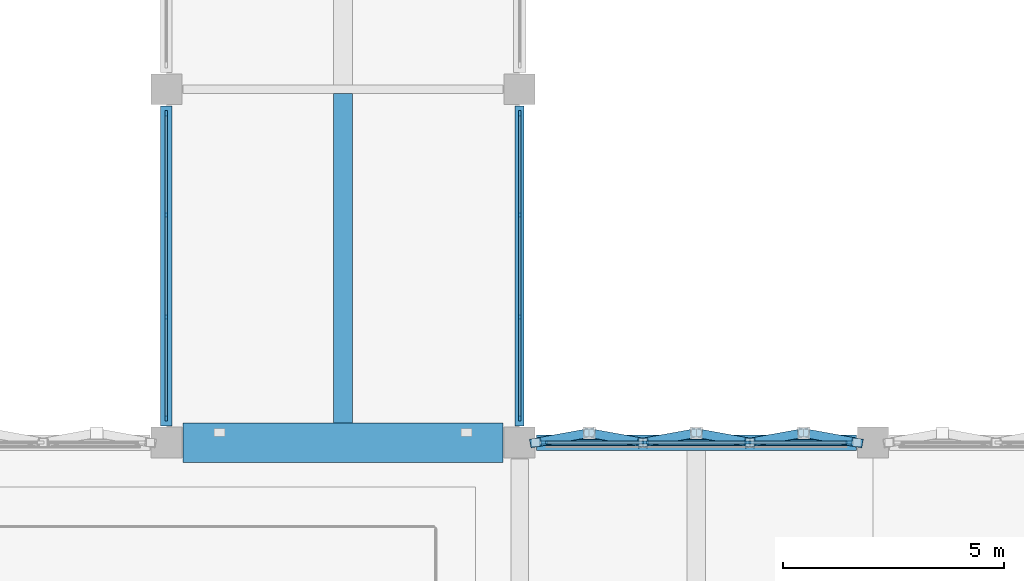
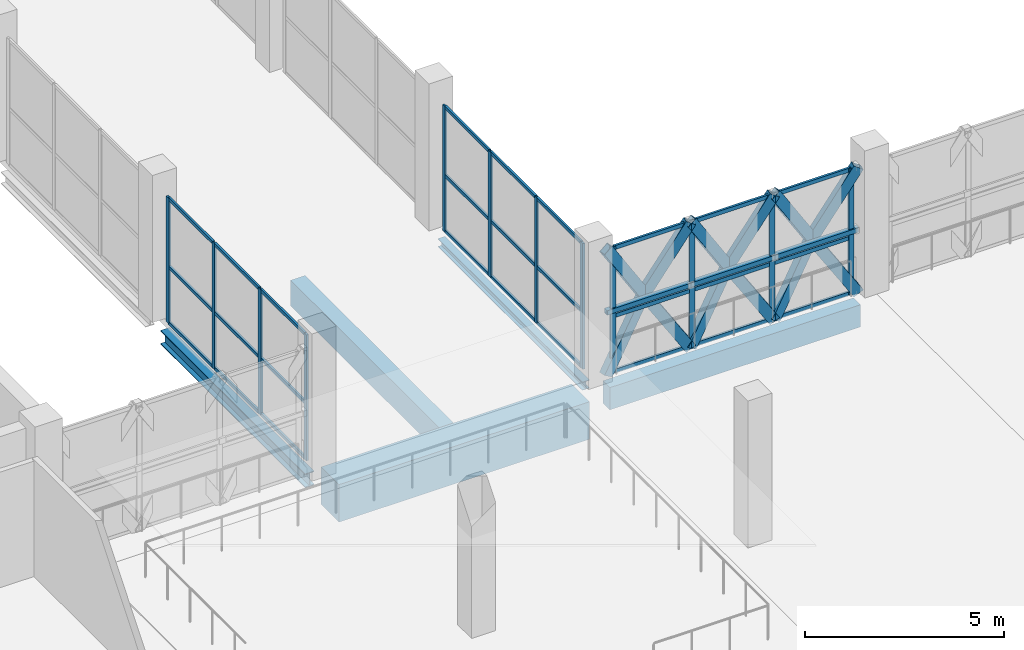
# One storey, part 8 of 45: 54 members, 5 beams, 3 elements without a shape of their own.
"""IFC4 building model written with IfcOpenShell, lengths in metres."""

from ifc_helpers import new_model, si_unit, direction, frame, origin, origin_2d, place, context, subcontext, project, spatial, rectangle, hollow_rectangle, i_section, extrude, material, layer, layer_set, material_profile, profile_set, type_object, element, aggregate, save


model = new_model("IFC4")

# Units and contexts
model_context = context("Model", 3, precision=1e-05, world=origin(), true_north=direction((0.0, 1.0)))
body_context = subcontext(model_context, "Body", "Model", "MODEL_VIEW")
ifc_project = project(units=[si_unit("LENGTHUNIT", "METRE"), si_unit("AREAUNIT", "SQUARE_METRE"), si_unit("VOLUMEUNIT", "CUBIC_METRE"), si_unit("PLANEANGLEUNIT", "RADIAN"), si_unit("MASSUNIT", "GRAM", prefix="KILO")], contexts=[model_context])

# Site, building, storey
site_placement = place(None, origin())
site = spatial("IfcSite", under=ifc_project, at=site_placement, CompositionType="ELEMENT")
building_placement = place(site_placement, origin())
building = spatial("IfcBuilding", under=site, at=building_placement, Name="Qorikala Patio Media Centre", CompositionType="ELEMENT")
storey_placement = place(building_placement, frame((0.0, 0.0, 9.89990234375)))
storey = spatial("IfcBuildingStorey", under=building, at=storey_placement, Name="L02", CompositionType="ELEMENT", Elevation=9.89990234375)

# Beam
ifc_material_1 = material(Name="Concrete C35/45", Category="concrete")
ifc_material_profile_1 = material_profile(ifc_material_1, rectangle(XDim=0.89990234375, YDim=1.14990234375, at=origin_2d()), Name="RC 900x1150")
ifc_profile_set_1 = profile_set([ifc_material_profile_1], Name="Concrete C35/45")
beam_type_1 = type_object("IfcBeamType", Name="BM-TR900X1150", PredefinedType="BEAM", material=ifc_profile_set_1)
beam_1_placement = place(storey_placement, frame((51.375, 27.0, -0.875), z_axis=(1.0, 0.0, 0.0), x_axis=(0.0, 1.0, 0.0)))
element("IfcBeam", 1, at=beam_1_placement, inside=storey, type_object=beam_type_1, Name="L02 Grid 27 Beam 0819", PredefinedType="BEAM", context=body_context, shape_type="SweptSolid", body=[
    extrude(rectangle(XDim=0.89990234375, YDim=1.14990234375, at=origin_2d()), origin(), (0.0, 0.0, 1.0), 7.25),
])

# Members
ifc_material_2 = material(Name="Golden Bronze Coated Steel S355", Category="steel")
ifc_material_profile_2 = material_profile(ifc_material_2, hollow_rectangle(XDim=0.139892578125, YDim=0.139892578125, WallThickness=0.006103515625, at=origin_2d()), Name="HSS140X140X6")
ifc_profile_set_2 = profile_set([ifc_material_profile_2], Name="Golden Bronze Coated Steel S355")
member_type_1 = type_object("IfcMemberType", Name="BRACE-DIA140", PredefinedType="BRACE", material=ifc_profile_set_2)
member_1_placement = place(storey_placement, frame((59.360107421875, 27.0, 1.925048828125), z_axis=(1.0, 0.0, 0.0), x_axis=(0.0, 1.0, 0.0)))
element("IfcMember", 2, at=member_1_placement, inside=storey, type_object=member_type_1, Name="L02 Diamond Fold Tie 052", PredefinedType="BRACE", context=body_context, shape_type="SweptSolid", body=[
    extrude(hollow_rectangle(XDim=0.139892578125, YDim=0.139892578125, WallThickness=0.006103515625, at=origin_2d()), origin(), (0.0, 0.0, 1.0), 2.426513671875),
])
member_2_placement = place(storey_placement, frame((61.78662109375, 27.0, 1.925048828125), z_axis=(1.0, 0.0, 0.0), x_axis=(0.0, 1.0, 0.0)))
element("IfcMember", 3, at=member_2_placement, inside=storey, type_object=member_type_1, Name="L02 Diamond Fold Tie 053", PredefinedType="BRACE", context=body_context, shape_type="SweptSolid", body=[
    extrude(hollow_rectangle(XDim=0.139892578125, YDim=0.139892578125, WallThickness=0.006103515625, at=origin_2d()), origin(), (0.0, 0.0, 1.0), 2.4267578125),
])
member_3_placement = place(storey_placement, frame((64.21337890625, 27.0, 1.925048828125), z_axis=(1.0, 0.0, 0.0), x_axis=(0.0, 1.0, 0.0)))
element("IfcMember", 4, at=member_3_placement, inside=storey, type_object=member_type_1, Name="L02 Diamond Fold Tie 054", PredefinedType="BRACE", context=body_context, shape_type="SweptSolid", body=[
    extrude(hollow_rectangle(XDim=0.139892578125, YDim=0.139892578125, WallThickness=0.006103515625, at=origin_2d()), origin(), (0.0, 0.0, 1.0), 2.426513671875),
])

# Curtain wall, members
ifc_material_3 = material(Name="Bronze Anodised Aluminium and Low-E Glass", Category="aluminium")
ifc_layer_1 = layer(ifc_material_3, 0.159912109375)
ifc_layer_set_1 = layer_set([ifc_layer_1], Name="Bronze Anodised Aluminium and Low-E Glass")
curtain_wall_type_1 = type_object("IfcCurtainWallType", Name="CW-BRG-696X385", PredefinedType="USERDEFINED", material=ifc_layer_set_1)
curtain_wall_1_placement = place(storey_placement, origin())
curtain_wall_1 = element("IfcCurtainWall", 5, at=curtain_wall_1_placement, inside=storey, type_object=curtain_wall_type_1, Name="L02 Courtyard Curtain Wall 046", ObjectType="COURTYARD CURTAIN WALL", PredefinedType="USERDEFINED")
ifc_material_4 = material(Name="Bronze Anodised Aluminium", Category="aluminium")
ifc_material_profile_3 = material_profile(ifc_material_4, rectangle(XDim=0.06005859375, YDim=0.1298828125, at=origin_2d()), Name="ALU MULLION 60x130")
ifc_profile_set_3 = profile_set([ifc_material_profile_3], Name="Bronze Anodised Aluminium")
member_type_2 = type_object("IfcMemberType", Name="CWM-60X130", PredefinedType="MULLION", material=ifc_profile_set_3)
member_4_placement = place(storey_placement, frame((51.0, 27.550048828125, 0.0), z_axis=(0.0, 0.0, 1.0), x_axis=(-1.0, 0.0, 0.0)))
member_4 = element("IfcMember", 6, at=member_4_placement, type_object=member_type_2, Name="CWB696385 mullion 1", PredefinedType="MULLION", context=body_context, shape_type="SweptSolid", body=[
    extrude(rectangle(XDim=0.06005859375, YDim=0.1298828125, at=origin_2d()), origin(), (0.0, 0.0, 1.0), 3.85009765625),
])
member_5_placement = place(storey_placement, frame((51.0, 29.840087890625, 0.0), z_axis=(0.0, 0.0, 1.0), x_axis=(-1.0, 0.0, 0.0)))
member_5 = element("IfcMember", 7, at=member_5_placement, type_object=member_type_2, Name="CWB696385 mullion 2", PredefinedType="MULLION", context=body_context, shape_type="SweptSolid", body=[
    extrude(rectangle(XDim=0.06005859375, YDim=0.1298828125, at=origin_2d()), origin(), (0.0, 0.0, 1.0), 3.85009765625),
])
member_6_placement = place(storey_placement, frame((51.0, 32.159912109375, 0.0), z_axis=(0.0, 0.0, 1.0), x_axis=(-1.0, 0.0, 0.0)))
member_6 = element("IfcMember", 8, at=member_6_placement, type_object=member_type_2, Name="CWB696385 mullion 3", PredefinedType="MULLION", context=body_context, shape_type="SweptSolid", body=[
    extrude(rectangle(XDim=0.06005859375, YDim=0.1298828125, at=origin_2d()), origin(), (0.0, 0.0, 1.0), 3.85009765625),
])
member_7_placement = place(storey_placement, frame((51.0, 34.449951171875, 0.0), z_axis=(0.0, 0.0, 1.0), x_axis=(-1.0, 0.0, 0.0)))
member_7 = element("IfcMember", 9, at=member_7_placement, type_object=member_type_2, Name="CWB696385 mullion 4", PredefinedType="MULLION", context=body_context, shape_type="SweptSolid", body=[
    extrude(rectangle(XDim=0.06005859375, YDim=0.1298828125, at=origin_2d()), origin(), (0.0, 0.0, 1.0), 3.85009765625),
])

curtain_wall_2_placement = place(storey_placement, origin())
curtain_wall_2 = element("IfcCurtainWall", 10, at=curtain_wall_2_placement, inside=storey, type_object=curtain_wall_type_1, Name="L02 Courtyard Curtain Wall 058", ObjectType="COURTYARD CURTAIN WALL", PredefinedType="USERDEFINED")
member_8_placement = place(storey_placement, frame((59.0, 34.449951171875, 0.0), z_axis=(0.0, 0.0, 1.0), x_axis=(1.0, 0.0, 0.0)))
member_8 = element("IfcMember", 11, at=member_8_placement, type_object=member_type_2, Name="CWB696385 mullion 1", PredefinedType="MULLION", context=body_context, shape_type="SweptSolid", body=[
    extrude(rectangle(XDim=0.06005859375, YDim=0.1298828125, at=origin_2d()), origin(), (0.0, 0.0, 1.0), 3.85009765625),
])
member_9_placement = place(storey_placement, frame((59.0, 32.159912109375, 0.0), z_axis=(0.0, 0.0, 1.0), x_axis=(1.0, 0.0, 0.0)))
member_9 = element("IfcMember", 12, at=member_9_placement, type_object=member_type_2, Name="CWB696385 mullion 2", PredefinedType="MULLION", context=body_context, shape_type="SweptSolid", body=[
    extrude(rectangle(XDim=0.06005859375, YDim=0.1298828125, at=origin_2d()), origin(), (0.0, 0.0, 1.0), 3.85009765625),
])
member_10_placement = place(storey_placement, frame((59.0, 29.840087890625, 0.0), z_axis=(0.0, 0.0, 1.0), x_axis=(1.0, 0.0, 0.0)))
member_10 = element("IfcMember", 13, at=member_10_placement, type_object=member_type_2, Name="CWB696385 mullion 3", PredefinedType="MULLION", context=body_context, shape_type="SweptSolid", body=[
    extrude(rectangle(XDim=0.06005859375, YDim=0.1298828125, at=origin_2d()), origin(), (0.0, 0.0, 1.0), 3.85009765625),
])
member_11_placement = place(storey_placement, frame((59.0, 27.550048828125, 0.0), z_axis=(0.0, 0.0, 1.0), x_axis=(1.0, 0.0, 0.0)))
member_11 = element("IfcMember", 14, at=member_11_placement, type_object=member_type_2, Name="CWB696385 mullion 4", PredefinedType="MULLION", context=body_context, shape_type="SweptSolid", body=[
    extrude(rectangle(XDim=0.06005859375, YDim=0.1298828125, at=origin_2d()), origin(), (0.0, 0.0, 1.0), 3.85009765625),
])

ifc_material_5 = material(Name="Golden Bronze Anodised Aluminium and Low-E Glass", Category="aluminium")
ifc_layer_2 = layer(ifc_material_5, 0.159912109375)
ifc_layer_set_2 = layer_set([ifc_layer_2], Name="Golden Bronze Anodised Aluminium and Low-E Glass")
curtain_wall_type_2 = type_object("IfcCurtainWallType", Name="CW-DIA-696X385", PredefinedType="USERDEFINED", material=ifc_layer_set_2)
curtain_wall_3_placement = place(storey_placement, origin())
curtain_wall_3 = element("IfcCurtainWall", 15, at=curtain_wall_3_placement, inside=storey, type_object=curtain_wall_type_2, Name="L02 Courtyard Curtain Wall 059", ObjectType="COURTYARD CURTAIN WALL", PredefinedType="USERDEFINED")
ifc_material_6 = material(Name="Golden Bronze Anodised Aluminium", Category="aluminium")
ifc_material_profile_4 = material_profile(ifc_material_6, rectangle(XDim=0.06494140625, YDim=0.14990234375, at=origin_2d()), Name="ALU MULLION 65x150")
ifc_profile_set_4 = profile_set([ifc_material_profile_4], Name="Golden Bronze Anodised Aluminium")
member_type_3 = type_object("IfcMemberType", Name="CWM-65X150", PredefinedType="MULLION", material=ifc_profile_set_4)
member_12_placement = place(storey_placement, frame((59.552490234375, 27.0, 0.0), z_axis=(0.0, 0.0, 1.0), x_axis=(0.0, 1.0, 0.0)))
member_12 = element("IfcMember", 16, at=member_12_placement, type_object=member_type_3, Name="CWD696385 mullion 1", PredefinedType="MULLION", context=body_context, shape_type="SweptSolid", body=[
    extrude(rectangle(XDim=0.06494140625, YDim=0.14990234375, at=origin_2d()), origin(), (0.0, 0.0, 1.0), 3.85009765625),
])
member_13_placement = place(storey_placement, frame((61.840087890625, 27.0, 0.0), z_axis=(0.0, 0.0, 1.0), x_axis=(0.0, 1.0, 0.0)))
member_13 = element("IfcMember", 17, at=member_13_placement, type_object=member_type_3, Name="CWD696385 mullion 2", PredefinedType="MULLION", context=body_context, shape_type="SweptSolid", body=[
    extrude(rectangle(XDim=0.06494140625, YDim=0.14990234375, at=origin_2d()), origin(), (0.0, 0.0, 1.0), 3.85009765625),
])
member_14_placement = place(storey_placement, frame((64.159912109375, 27.0, 0.0), z_axis=(0.0, 0.0, 1.0), x_axis=(0.0, 1.0, 0.0)))
member_14 = element("IfcMember", 18, at=member_14_placement, type_object=member_type_3, Name="CWD696385 mullion 3", PredefinedType="MULLION", context=body_context, shape_type="SweptSolid", body=[
    extrude(rectangle(XDim=0.06494140625, YDim=0.14990234375, at=origin_2d()), origin(), (0.0, 0.0, 1.0), 3.85009765625),
])
member_15_placement = place(storey_placement, frame((66.447509765625, 27.0, 0.0), z_axis=(0.0, 0.0, 1.0), x_axis=(0.0, 1.0, 0.0)))
member_15 = element("IfcMember", 19, at=member_15_placement, type_object=member_type_3, Name="CWD696385 mullion 4", PredefinedType="MULLION", context=body_context, shape_type="SweptSolid", body=[
    extrude(rectangle(XDim=0.06494140625, YDim=0.14990234375, at=origin_2d()), origin(), (0.0, 0.0, 1.0), 3.85009765625),
])

# Member
ifc_material_profile_5 = material_profile(ifc_material_4, rectangle(XDim=0.06005859375, YDim=0.10009765625, at=origin_2d()), Name="ALU TRANSOM 60x100")
ifc_profile_set_5 = profile_set([ifc_material_profile_5], Name="Bronze Anodised Aluminium")
member_type_4 = type_object("IfcMemberType", Name="CWT-60X100", PredefinedType="USERDEFINED", material=ifc_profile_set_5)
member_16_placement = place(storey_placement, frame((51.0, 27.580078125, 0.030029296875), z_axis=(0.0, 1.0, 0.0), x_axis=(-1.0, 0.0, 0.0)))
member_16 = element("IfcMember", 20, at=member_16_placement, type_object=member_type_4, Name="CWB696385 transom 1.1", ObjectType="TRANSOM", PredefinedType="USERDEFINED", context=body_context, shape_type="SweptSolid", body=[
    extrude(rectangle(XDim=0.06005859375, YDim=0.10009765625, at=origin_2d()), origin(), (0.0, 0.0, 1.0), 2.22998046875),
])

member_17_placement = place(storey_placement, frame((51.0, 27.580078125, 1.732666015625), z_axis=(0.0, 1.0, 0.0), x_axis=(-1.0, 0.0, 0.0)))
member_17 = element("IfcMember", 21, at=member_17_placement, type_object=member_type_4, Name="CWB696385 transom 1.2", ObjectType="TRANSOM", PredefinedType="USERDEFINED", context=body_context, shape_type="SweptSolid", body=[
    extrude(rectangle(XDim=0.06005859375, YDim=0.10009765625, at=origin_2d()), origin(), (0.0, 0.0, 1.0), 2.22998046875),
])

member_18_placement = place(storey_placement, frame((51.0, 27.580078125, 3.820068359375), z_axis=(0.0, 1.0, 0.0), x_axis=(-1.0, 0.0, 0.0)))
member_18 = element("IfcMember", 22, at=member_18_placement, type_object=member_type_4, Name="CWB696385 transom 1.3", ObjectType="TRANSOM", PredefinedType="USERDEFINED", context=body_context, shape_type="SweptSolid", body=[
    extrude(rectangle(XDim=0.06005859375, YDim=0.10009765625, at=origin_2d()), origin(), (0.0, 0.0, 1.0), 2.22998046875),
])

member_19_placement = place(storey_placement, frame((51.0, 29.8701171875, 0.030029296875), z_axis=(0.0, 1.0, 0.0), x_axis=(-1.0, 0.0, 0.0)))
member_19 = element("IfcMember", 23, at=member_19_placement, type_object=member_type_4, Name="CWB696385 transom 2.1", ObjectType="TRANSOM", PredefinedType="USERDEFINED", context=body_context, shape_type="SweptSolid", body=[
    extrude(rectangle(XDim=0.06005859375, YDim=0.10009765625, at=origin_2d()), origin(), (0.0, 0.0, 1.0), 2.259765625),
])

member_20_placement = place(storey_placement, frame((51.0, 29.8701171875, 1.732666015625), z_axis=(0.0, 1.0, 0.0), x_axis=(-1.0, 0.0, 0.0)))
member_20 = element("IfcMember", 24, at=member_20_placement, type_object=member_type_4, Name="CWB696385 transom 2.2", ObjectType="TRANSOM", PredefinedType="USERDEFINED", context=body_context, shape_type="SweptSolid", body=[
    extrude(rectangle(XDim=0.06005859375, YDim=0.10009765625, at=origin_2d()), origin(), (0.0, 0.0, 1.0), 2.259765625),
])

member_21_placement = place(storey_placement, frame((51.0, 29.8701171875, 3.820068359375), z_axis=(0.0, 1.0, 0.0), x_axis=(-1.0, 0.0, 0.0)))
member_21 = element("IfcMember", 25, at=member_21_placement, type_object=member_type_4, Name="CWB696385 transom 2.3", ObjectType="TRANSOM", PredefinedType="USERDEFINED", context=body_context, shape_type="SweptSolid", body=[
    extrude(rectangle(XDim=0.06005859375, YDim=0.10009765625, at=origin_2d()), origin(), (0.0, 0.0, 1.0), 2.259765625),
])

member_22_placement = place(storey_placement, frame((51.0, 32.18994140625, 0.030029296875), z_axis=(0.0, 1.0, 0.0), x_axis=(-1.0, 0.0, 0.0)))
member_22 = element("IfcMember", 26, at=member_22_placement, type_object=member_type_4, Name="CWB696385 transom 3.1", ObjectType="TRANSOM", PredefinedType="USERDEFINED", context=body_context, shape_type="SweptSolid", body=[
    extrude(rectangle(XDim=0.06005859375, YDim=0.10009765625, at=origin_2d()), origin(), (0.0, 0.0, 1.0), 2.22998046875),
])

member_23_placement = place(storey_placement, frame((51.0, 32.18994140625, 1.732666015625), z_axis=(0.0, 1.0, 0.0), x_axis=(-1.0, 0.0, 0.0)))
member_23 = element("IfcMember", 27, at=member_23_placement, type_object=member_type_4, Name="CWB696385 transom 3.2", ObjectType="TRANSOM", PredefinedType="USERDEFINED", context=body_context, shape_type="SweptSolid", body=[
    extrude(rectangle(XDim=0.06005859375, YDim=0.10009765625, at=origin_2d()), origin(), (0.0, 0.0, 1.0), 2.22998046875),
])

member_24_placement = place(storey_placement, frame((51.0, 32.18994140625, 3.820068359375), z_axis=(0.0, 1.0, 0.0), x_axis=(-1.0, 0.0, 0.0)))
member_24 = element("IfcMember", 28, at=member_24_placement, type_object=member_type_4, Name="CWB696385 transom 3.3", ObjectType="TRANSOM", PredefinedType="USERDEFINED", context=body_context, shape_type="SweptSolid", body=[
    extrude(rectangle(XDim=0.06005859375, YDim=0.10009765625, at=origin_2d()), origin(), (0.0, 0.0, 1.0), 2.22998046875),
])

aggregate(curtain_wall_1, [member_4, member_5, member_6, member_7, member_16, member_17, member_18, member_19, member_20, member_21, member_22, member_23, member_24])

member_25_placement = place(storey_placement, frame((59.0, 34.419921875, 0.030029296875), z_axis=(0.0, -1.0, 0.0), x_axis=(1.0, 0.0, 0.0)))
member_25 = element("IfcMember", 29, at=member_25_placement, type_object=member_type_4, Name="CWB696385 transom 1.1", ObjectType="TRANSOM", PredefinedType="USERDEFINED", context=body_context, shape_type="SweptSolid", body=[
    extrude(rectangle(XDim=0.06005859375, YDim=0.10009765625, at=origin_2d()), origin(), (0.0, 0.0, 1.0), 2.22998046875),
])

member_26_placement = place(storey_placement, frame((59.0, 34.419921875, 1.732666015625), z_axis=(0.0, -1.0, 0.0), x_axis=(1.0, 0.0, 0.0)))
member_26 = element("IfcMember", 30, at=member_26_placement, type_object=member_type_4, Name="CWB696385 transom 1.2", ObjectType="TRANSOM", PredefinedType="USERDEFINED", context=body_context, shape_type="SweptSolid", body=[
    extrude(rectangle(XDim=0.06005859375, YDim=0.10009765625, at=origin_2d()), origin(), (0.0, 0.0, 1.0), 2.22998046875),
])

member_27_placement = place(storey_placement, frame((59.0, 34.419921875, 3.820068359375), z_axis=(0.0, -1.0, 0.0), x_axis=(1.0, 0.0, 0.0)))
member_27 = element("IfcMember", 31, at=member_27_placement, type_object=member_type_4, Name="CWB696385 transom 1.3", ObjectType="TRANSOM", PredefinedType="USERDEFINED", context=body_context, shape_type="SweptSolid", body=[
    extrude(rectangle(XDim=0.06005859375, YDim=0.10009765625, at=origin_2d()), origin(), (0.0, 0.0, 1.0), 2.22998046875),
])

member_28_placement = place(storey_placement, frame((59.0, 32.1298828125, 0.030029296875), z_axis=(0.0, -1.0, 0.0), x_axis=(1.0, 0.0, 0.0)))
member_28 = element("IfcMember", 32, at=member_28_placement, type_object=member_type_4, Name="CWB696385 transom 2.1", ObjectType="TRANSOM", PredefinedType="USERDEFINED", context=body_context, shape_type="SweptSolid", body=[
    extrude(rectangle(XDim=0.06005859375, YDim=0.10009765625, at=origin_2d()), origin(), (0.0, 0.0, 1.0), 2.259765625),
])

member_29_placement = place(storey_placement, frame((59.0, 32.1298828125, 1.732666015625), z_axis=(0.0, -1.0, 0.0), x_axis=(1.0, 0.0, 0.0)))
member_29 = element("IfcMember", 33, at=member_29_placement, type_object=member_type_4, Name="CWB696385 transom 2.2", ObjectType="TRANSOM", PredefinedType="USERDEFINED", context=body_context, shape_type="SweptSolid", body=[
    extrude(rectangle(XDim=0.06005859375, YDim=0.10009765625, at=origin_2d()), origin(), (0.0, 0.0, 1.0), 2.259765625),
])

member_30_placement = place(storey_placement, frame((59.0, 32.1298828125, 3.820068359375), z_axis=(0.0, -1.0, 0.0), x_axis=(1.0, 0.0, 0.0)))
member_30 = element("IfcMember", 34, at=member_30_placement, type_object=member_type_4, Name="CWB696385 transom 2.3", ObjectType="TRANSOM", PredefinedType="USERDEFINED", context=body_context, shape_type="SweptSolid", body=[
    extrude(rectangle(XDim=0.06005859375, YDim=0.10009765625, at=origin_2d()), origin(), (0.0, 0.0, 1.0), 2.259765625),
])

member_31_placement = place(storey_placement, frame((59.0, 29.81005859375, 0.030029296875), z_axis=(0.0, -1.0, 0.0), x_axis=(1.0, 0.0, 0.0)))
member_31 = element("IfcMember", 35, at=member_31_placement, type_object=member_type_4, Name="CWB696385 transom 3.1", ObjectType="TRANSOM", PredefinedType="USERDEFINED", context=body_context, shape_type="SweptSolid", body=[
    extrude(rectangle(XDim=0.06005859375, YDim=0.10009765625, at=origin_2d()), origin(), (0.0, 0.0, 1.0), 2.22998046875),
])

member_32_placement = place(storey_placement, frame((59.0, 29.81005859375, 1.732666015625), z_axis=(0.0, -1.0, 0.0), x_axis=(1.0, 0.0, 0.0)))
member_32 = element("IfcMember", 36, at=member_32_placement, type_object=member_type_4, Name="CWB696385 transom 3.2", ObjectType="TRANSOM", PredefinedType="USERDEFINED", context=body_context, shape_type="SweptSolid", body=[
    extrude(rectangle(XDim=0.06005859375, YDim=0.10009765625, at=origin_2d()), origin(), (0.0, 0.0, 1.0), 2.22998046875),
])

member_33_placement = place(storey_placement, frame((59.0, 29.81005859375, 3.820068359375), z_axis=(0.0, -1.0, 0.0), x_axis=(1.0, 0.0, 0.0)))
member_33 = element("IfcMember", 37, at=member_33_placement, type_object=member_type_4, Name="CWB696385 transom 3.3", ObjectType="TRANSOM", PredefinedType="USERDEFINED", context=body_context, shape_type="SweptSolid", body=[
    extrude(rectangle(XDim=0.06005859375, YDim=0.10009765625, at=origin_2d()), origin(), (0.0, 0.0, 1.0), 2.22998046875),
])

aggregate(curtain_wall_2, [member_8, member_9, member_10, member_11, member_25, member_26, member_27, member_28, member_29, member_30, member_31, member_32, member_33])

ifc_material_profile_6 = material_profile(ifc_material_6, rectangle(XDim=0.06494140625, YDim=0.1201171875, at=origin_2d()), Name="ALU TRANSOM 65x120")
ifc_profile_set_6 = profile_set([ifc_material_profile_6], Name="Golden Bronze Anodised Aluminium")
member_type_5 = type_object("IfcMemberType", Name="CWT-65X120", PredefinedType="USERDEFINED", material=ifc_profile_set_6)
member_34_placement = place(storey_placement, frame((59.5849609375, 27.0, 0.03271484375), z_axis=(1.0, 0.0, 0.0), x_axis=(0.0, 1.0, 0.0)))
member_34 = element("IfcMember", 38, at=member_34_placement, type_object=member_type_5, Name="CWD696385 transom 1.1", ObjectType="TRANSOM", PredefinedType="USERDEFINED", context=body_context, shape_type="SweptSolid", body=[
    extrude(rectangle(XDim=0.06494140625, YDim=0.1201171875, at=origin_2d()), origin(), (0.0, 0.0, 1.0), 2.22265625),
])

member_35_placement = place(storey_placement, frame((59.5849609375, 27.0, 1.732666015625), z_axis=(1.0, 0.0, 0.0), x_axis=(0.0, 1.0, 0.0)))
member_35 = element("IfcMember", 39, at=member_35_placement, type_object=member_type_5, Name="CWD696385 transom 1.2", ObjectType="TRANSOM", PredefinedType="USERDEFINED", context=body_context, shape_type="SweptSolid", body=[
    extrude(rectangle(XDim=0.06494140625, YDim=0.1201171875, at=origin_2d()), origin(), (0.0, 0.0, 1.0), 2.22265625),
])

member_36_placement = place(storey_placement, frame((59.5849609375, 27.0, 3.817626953125), z_axis=(1.0, 0.0, 0.0), x_axis=(0.0, 1.0, 0.0)))
member_36 = element("IfcMember", 40, at=member_36_placement, type_object=member_type_5, Name="CWD696385 transom 1.3", ObjectType="TRANSOM", PredefinedType="USERDEFINED", context=body_context, shape_type="SweptSolid", body=[
    extrude(rectangle(XDim=0.06494140625, YDim=0.1201171875, at=origin_2d()), origin(), (0.0, 0.0, 1.0), 2.22265625),
])

member_37_placement = place(storey_placement, frame((61.87255859375, 27.0, 0.03271484375), z_axis=(1.0, 0.0, 0.0), x_axis=(0.0, 1.0, 0.0)))
member_37 = element("IfcMember", 41, at=member_37_placement, type_object=member_type_5, Name="CWD696385 transom 2.1", ObjectType="TRANSOM", PredefinedType="USERDEFINED", context=body_context, shape_type="SweptSolid", body=[
    extrude(rectangle(XDim=0.06494140625, YDim=0.1201171875, at=origin_2d()), origin(), (0.0, 0.0, 1.0), 2.2548828125),
])

member_38_placement = place(storey_placement, frame((61.87255859375, 27.0, 1.732666015625), z_axis=(1.0, 0.0, 0.0), x_axis=(0.0, 1.0, 0.0)))
member_38 = element("IfcMember", 42, at=member_38_placement, type_object=member_type_5, Name="CWD696385 transom 2.2", ObjectType="TRANSOM", PredefinedType="USERDEFINED", context=body_context, shape_type="SweptSolid", body=[
    extrude(rectangle(XDim=0.06494140625, YDim=0.1201171875, at=origin_2d()), origin(), (0.0, 0.0, 1.0), 2.2548828125),
])

member_39_placement = place(storey_placement, frame((61.87255859375, 27.0, 3.817626953125), z_axis=(1.0, 0.0, 0.0), x_axis=(0.0, 1.0, 0.0)))
member_39 = element("IfcMember", 43, at=member_39_placement, type_object=member_type_5, Name="CWD696385 transom 2.3", ObjectType="TRANSOM", PredefinedType="USERDEFINED", context=body_context, shape_type="SweptSolid", body=[
    extrude(rectangle(XDim=0.06494140625, YDim=0.1201171875, at=origin_2d()), origin(), (0.0, 0.0, 1.0), 2.2548828125),
])

member_40_placement = place(storey_placement, frame((64.1923828125, 27.0, 0.03271484375), z_axis=(1.0, 0.0, 0.0), x_axis=(0.0, 1.0, 0.0)))
member_40 = element("IfcMember", 44, at=member_40_placement, type_object=member_type_5, Name="CWD696385 transom 3.1", ObjectType="TRANSOM", PredefinedType="USERDEFINED", context=body_context, shape_type="SweptSolid", body=[
    extrude(rectangle(XDim=0.06494140625, YDim=0.1201171875, at=origin_2d()), origin(), (0.0, 0.0, 1.0), 2.22265625),
])

member_41_placement = place(storey_placement, frame((64.1923828125, 27.0, 1.732666015625), z_axis=(1.0, 0.0, 0.0), x_axis=(0.0, 1.0, 0.0)))
member_41 = element("IfcMember", 45, at=member_41_placement, type_object=member_type_5, Name="CWD696385 transom 3.2", ObjectType="TRANSOM", PredefinedType="USERDEFINED", context=body_context, shape_type="SweptSolid", body=[
    extrude(rectangle(XDim=0.06494140625, YDim=0.1201171875, at=origin_2d()), origin(), (0.0, 0.0, 1.0), 2.22265625),
])

member_42_placement = place(storey_placement, frame((64.1923828125, 27.0, 3.817626953125), z_axis=(1.0, 0.0, 0.0), x_axis=(0.0, 1.0, 0.0)))
member_42 = element("IfcMember", 46, at=member_42_placement, type_object=member_type_5, Name="CWD696385 transom 3.3", ObjectType="TRANSOM", PredefinedType="USERDEFINED", context=body_context, shape_type="SweptSolid", body=[
    extrude(rectangle(XDim=0.06494140625, YDim=0.1201171875, at=origin_2d()), origin(), (0.0, 0.0, 1.0), 2.22265625),
])

aggregate(curtain_wall_3, [member_12, member_13, member_14, member_15, member_34, member_35, member_36, member_37, member_38, member_39, member_40, member_41, member_42])

# Beams
ifc_material_7 = material(Name="Steel S355", Category="steel")
ifc_material_profile_7 = material_profile(ifc_material_7, i_section(OverallWidth=0.202880859375, OverallDepth=0.251953125, WebThickness=0.008056640625, FlangeThickness=0.013427734375, at=origin_2d()), Name="W250X58")
ifc_profile_set_7 = profile_set([ifc_material_profile_7], Name="Steel S355")
beam_type_2 = type_object("IfcBeamType", Name="SBM-W250X58-EXT", PredefinedType="BEAM", material=ifc_profile_set_7)
beam_2_placement = place(storey_placement, frame((59.0, 27.375, -0.42578125), z_axis=(0.0, 1.0, 0.0), x_axis=(-1.0, 0.0, 0.0)))
element("IfcBeam", 47, at=beam_2_placement, inside=storey, type_object=beam_type_2, Name="L02 Grid X=59 Beam 0959", PredefinedType="BEAM", context=body_context, shape_type="SweptSolid", body=[
    extrude(i_section(OverallWidth=0.202880859375, OverallDepth=0.251953125, WebThickness=0.008056640625, FlangeThickness=0.013427734375, at=origin_2d()), origin(), (0.0, 0.0, 1.0), 7.25),
])
ifc_material_profile_8 = material_profile(ifc_material_7, i_section(OverallWidth=0.260986328125, OverallDepth=0.419921875, WebThickness=0.01318359375, FlangeThickness=0.022216796875, at=origin_2d()), Name="W410X114")
ifc_profile_set_8 = profile_set([ifc_material_profile_8], Name="Steel S355")
beam_type_3 = type_object("IfcBeamType", Name="SBM-W410X114-EXT", PredefinedType="BEAM", material=ifc_profile_set_8)
beam_3_placement = place(storey_placement, frame((51.0, 27.375, -0.510009765625), z_axis=(0.0, 1.0, 0.0), x_axis=(-1.0, 0.0, 0.0)))
element("IfcBeam", 48, at=beam_3_placement, inside=storey, type_object=beam_type_3, Name="L02 Grid X=51 Beam 0947", PredefinedType="BEAM", context=body_context, shape_type="SweptSolid", body=[
    extrude(i_section(OverallWidth=0.260986328125, OverallDepth=0.419921875, WebThickness=0.01318359375, FlangeThickness=0.022216796875, at=origin_2d()), origin(), (0.0, 0.0, 1.0), 7.25),
])
ifc_material_profile_9 = material_profile(ifc_material_1, rectangle(XDim=0.35009765625, YDim=0.679931640625, at=origin_2d()), Name="RC 350x680")
ifc_profile_set_9 = profile_set([ifc_material_profile_9], Name="Concrete C35/45")
beam_type_4 = type_object("IfcBeamType", Name="SP-350X680", PredefinedType="SPANDREL", material=ifc_profile_set_9)
beam_4_placement = place(storey_placement, frame((59.375, 27.0, -0.639892578125), z_axis=(1.0, 0.0, 0.0), x_axis=(0.0, 1.0, 0.0)))
element("IfcBeam", 49, at=beam_4_placement, inside=storey, type_object=beam_type_4, Name="L02 Grid 27 Beam 0820", PredefinedType="SPANDREL", context=body_context, shape_type="SweptSolid", body=[
    extrude(rectangle(XDim=0.35009765625, YDim=0.679931640625, at=origin_2d()), origin(), (0.0, 0.0, 1.0), 7.25),
])

# Members
ifc_material_profile_10 = material_profile(ifc_material_2, hollow_rectangle(XDim=0.199951171875, YDim=0.300048828125, WallThickness=0.011962890625, at=origin_2d()), Name="HSS300X200X12")
ifc_profile_set_10 = profile_set([ifc_material_profile_10], Name="Golden Bronze Coated Steel S355")
member_type_6 = type_object("IfcMemberType", Name="STRUT-DIA300", PredefinedType="STRUT", material=ifc_profile_set_10)
member_43_placement = place(storey_placement, frame((59.360107421875, 27.0, 0.0), z_axis=(0.530691378365, 0.095906793675, 0.842121456713), x_axis=(-0.17783968734, 0.984059472596, 0.0)))
element("IfcMember", 50, at=member_43_placement, inside=storey, type_object=member_type_6, Name="L02 Diamond Foyer Fold Strut 052-DL1", PredefinedType="STRUT", context=body_context, shape_type="SweptSolid", body=[
    extrude(hollow_rectangle(XDim=0.199951171875, YDim=0.300048828125, WallThickness=0.011962890625, at=origin_2d()), origin(), (0.0, 0.0, 1.0), 2.285888671875),
])
member_44_placement = place(storey_placement, frame((61.78662109375, 27.0, 0.0), z_axis=(-0.530768093717, 0.095901357778, 0.842073726148), x_axis=(-0.177805036072, -0.98406573416, 0.0)))
element("IfcMember", 51, at=member_44_placement, inside=storey, type_object=member_type_6, Name="L02 Diamond Foyer Fold Strut 052-DL2", PredefinedType="STRUT", context=body_context, shape_type="SweptSolid", body=[
    extrude(hollow_rectangle(XDim=0.199951171875, YDim=0.300048828125, WallThickness=0.011962890625, at=origin_2d()), origin(), (0.0, 0.0, 1.0), 2.2861328125),
])
member_45_placement = place(storey_placement, frame((60.5732421875, 27.21923828125, 1.925048828125), z_axis=(-0.530691378365, -0.095906793675, 0.842121456713), x_axis=(0.17783968734, -0.984059472596, 0.0)))
element("IfcMember", 52, at=member_45_placement, inside=storey, type_object=member_type_6, Name="L02 Diamond Foyer Fold Strut 052-DU1", PredefinedType="STRUT", context=body_context, shape_type="SweptSolid", body=[
    extrude(hollow_rectangle(XDim=0.199951171875, YDim=0.300048828125, WallThickness=0.011962890625, at=origin_2d()), origin(), (0.0, 0.0, 1.0), 2.285888671875),
])
for number, where, z_axis, x_axis, name in (
    (53, (60.5732421875, 27.21923828125, 1.925048828125), (0.530768093717, -0.095901357778, 0.842073726148), (0.177805036072, 0.98406573416, 0.0), "L02 Diamond Foyer Fold Strut 052-DU2"),
    (54, (61.78662109375, 27.0, 0.0), (0.530768093717, 0.095901357778, 0.842073726148), (-0.177805036072, 0.98406573416, 0.0), "L02 Diamond Foyer Fold Strut 053-DL1"),
    (55, (64.21337890625, 27.0, 0.0), (-0.530768093717, 0.095901357778, 0.842073726148), (-0.177805036072, -0.98406573416, 0.0), "L02 Diamond Foyer Fold Strut 053-DL2"),
    (56, (63.0, 27.21923828125, 1.925048828125), (-0.530768093717, -0.095901357778, 0.842073726148), (0.177805036072, -0.98406573416, 0.0), "L02 Diamond Foyer Fold Strut 053-DU1"),
    (57, (63.0, 27.21923828125, 1.925048828125), (0.530768093717, -0.095901357778, 0.842073726148), (0.177805036072, 0.98406573416, 0.0), "L02 Diamond Foyer Fold Strut 053-DU2"),
    (58, (64.21337890625, 27.0, 0.0), (0.530768093717, 0.095901357778, 0.842073726148), (-0.177805036072, 0.98406573416, 0.0), "L02 Diamond Foyer Fold Strut 054-DL1"),
):
    element("IfcMember", number, at=place(storey_placement, frame(where, z_axis=z_axis, x_axis=x_axis)), inside=storey, type_object=member_type_6, Name=name, PredefinedType="STRUT", context=body_context, shape_type="SweptSolid", body=[
        extrude(hollow_rectangle(XDim=0.199951171875, YDim=0.300048828125, WallThickness=0.011962890625, at=origin_2d()), origin(), (0.0, 0.0, 1.0), 2.2861328125),
    ])
member_46_placement = place(storey_placement, frame((66.639892578125, 27.0, 0.0), z_axis=(-0.530691378365, 0.095906793675, 0.842121456713), x_axis=(-0.17783968734, -0.984059472596, 0.0)))
element("IfcMember", 59, at=member_46_placement, inside=storey, type_object=member_type_6, Name="L02 Diamond Foyer Fold Strut 054-DL2", PredefinedType="STRUT", context=body_context, shape_type="SweptSolid", body=[
    extrude(hollow_rectangle(XDim=0.199951171875, YDim=0.300048828125, WallThickness=0.011962890625, at=origin_2d()), origin(), (0.0, 0.0, 1.0), 2.285888671875),
])
member_47_placement = place(storey_placement, frame((65.4267578125, 27.21923828125, 1.925048828125), z_axis=(-0.530768093717, -0.095901357778, 0.842073726148), x_axis=(0.177805036072, -0.98406573416, 0.0)))
element("IfcMember", 60, at=member_47_placement, inside=storey, type_object=member_type_6, Name="L02 Diamond Foyer Fold Strut 054-DU1", PredefinedType="STRUT", context=body_context, shape_type="SweptSolid", body=[
    extrude(hollow_rectangle(XDim=0.199951171875, YDim=0.300048828125, WallThickness=0.011962890625, at=origin_2d()), origin(), (0.0, 0.0, 1.0), 2.2861328125),
])
member_48_placement = place(storey_placement, frame((65.4267578125, 27.21923828125, 1.925048828125), z_axis=(0.530691378365, -0.095906793675, 0.842121456713), x_axis=(0.17783968734, 0.984059472596, 0.0)))
element("IfcMember", 61, at=member_48_placement, inside=storey, type_object=member_type_6, Name="L02 Diamond Foyer Fold Strut 054-DU2", PredefinedType="STRUT", context=body_context, shape_type="SweptSolid", body=[
    extrude(hollow_rectangle(XDim=0.199951171875, YDim=0.300048828125, WallThickness=0.011962890625, at=origin_2d()), origin(), (0.0, 0.0, 1.0), 2.285888671875),
])

# Beam
ifc_material_profile_11 = material_profile(ifc_material_1, rectangle(XDim=0.419921875, YDim=0.780029296875, at=origin_2d()), Name="RC 420x780")
ifc_profile_set_11 = profile_set([ifc_material_profile_11], Name="Concrete C35/45")
beam_type_5 = type_object("IfcBeamType", Name="TB-420X780", PredefinedType="T_BEAM", material=ifc_profile_set_11)
beam_5_placement = place(storey_placement, frame((55.0, 27.449951171875, -0.68994140625), z_axis=(0.0, 1.0, 0.0), x_axis=(-1.0, 0.0, 0.0)))
element("IfcBeam", 62, at=beam_5_placement, inside=storey, type_object=beam_type_5, Name="L02 Secondary Joist 1054", PredefinedType="T_BEAM", context=body_context, shape_type="SweptSolid", body=[
    extrude(rectangle(XDim=0.419921875, YDim=0.780029296875, at=origin_2d()), origin(), (0.0, 0.0, 1.0), 7.448486328125),
])

save(model, "model.ifc")
